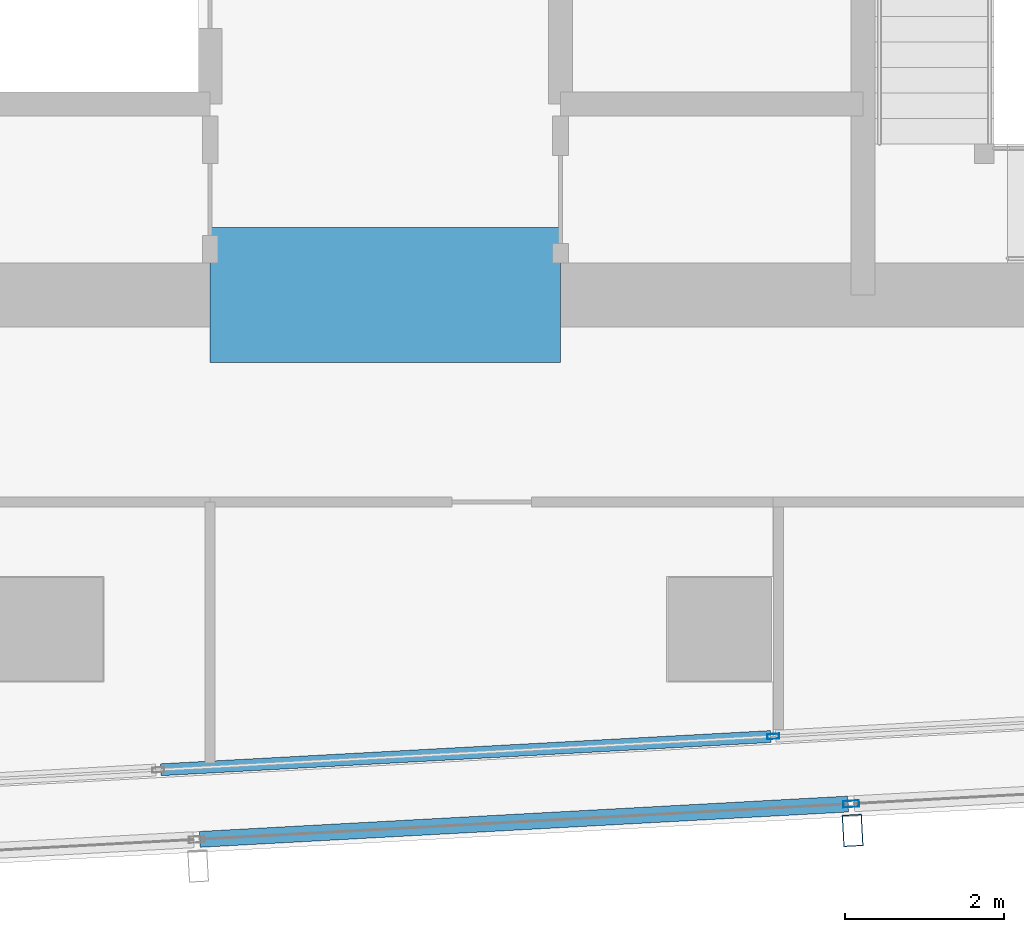
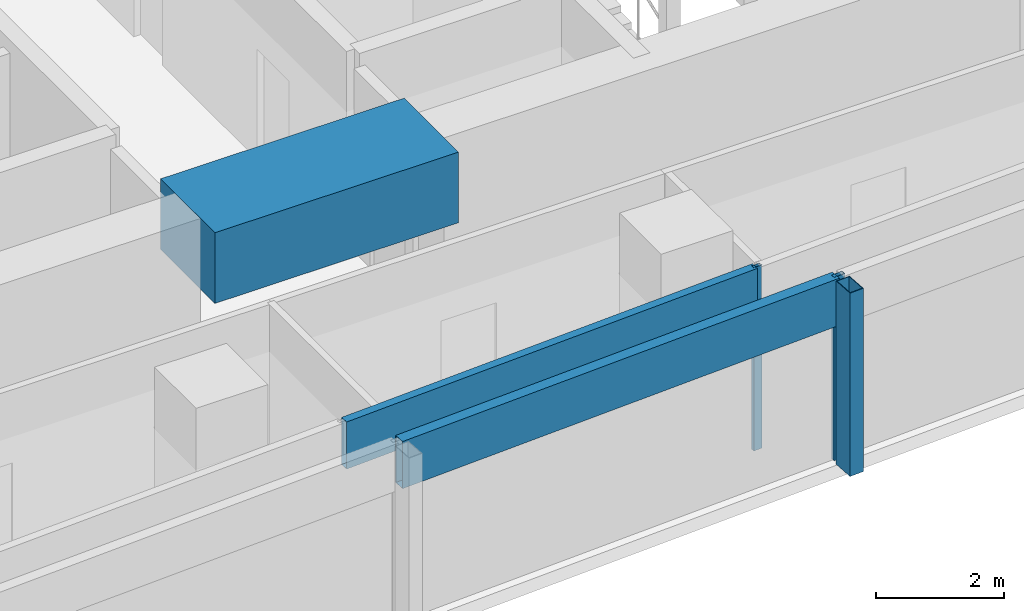
# One storey, part 9 of 29: 5 members, 1 beam, 2 elements without a shape of their own.
"""IFC4 building model written with IfcOpenShell, lengths in metres."""

from ifc_helpers import new_model, si_unit, direction, frame, origin, origin_2d, place, context, subcontext, project, spatial, rectangle, hollow_rectangle, extrude, material, material_profile, profile_set, type_object, element, aggregate, save


model = new_model("IFC4")

# Units and contexts
model_context = context("Model", 3, precision=1e-05, world=origin(), true_north=direction((0.0, 1.0)))
body_context = subcontext(model_context, "Body", "Model", "MODEL_VIEW")
ifc_project = project(units=[si_unit("LENGTHUNIT", "METRE"), si_unit("AREAUNIT", "SQUARE_METRE"), si_unit("VOLUMEUNIT", "CUBIC_METRE"), si_unit("PLANEANGLEUNIT", "RADIAN"), si_unit("MASSUNIT", "GRAM", prefix="KILO")], contexts=[model_context])

# Site, building, storey
site_placement = place(None, origin())
site = spatial("IfcSite", under=ifc_project, at=site_placement, CompositionType="ELEMENT")
building_placement = place(site_placement, origin())
building = spatial("IfcBuilding", under=site, at=building_placement, Name="Rekha Terrace Tower", CompositionType="ELEMENT")
storey_placement = place(building_placement, frame((0.0, 0.0, 276.35009765625)))
storey = spatial("IfcBuildingStorey", under=building, at=storey_placement, Name="L70", CompositionType="ELEMENT", Elevation=276.35009765625)

# Curtain wall, member
ifc_material_1 = material(Name="Aluminium framing", Category="aluminium")
curtain_wall_type_1 = type_object("IfcCurtainWallType", Name="CW2 double skin outer glazing", PredefinedType="USERDEFINED", material=ifc_material_1)
curtain_wall_1_placement = place(storey_placement, origin())
curtain_wall_1 = element("IfcCurtainWall", 1, at=curtain_wall_1_placement, inside=storey, type_object=curtain_wall_type_1, Name="CW2 double skin outer glazing", ObjectType="DOUBLE SKIN OUTER GLAZING", PredefinedType="USERDEFINED")
ifc_material_2 = material(Name="Steel S355 with fluorocarbon finish", Category="steel")
ifc_material_profile_1 = material_profile(ifc_material_2, hollow_rectangle(XDim=0.25, YDim=0.39990234375, WallThickness=0.012451171875, at=origin_2d()), Name="RHS400x250x12.5")
ifc_profile_set_1 = profile_set([ifc_material_profile_1], Name="Steel S355 with fluorocarbon finish")
member_type_1 = type_object("IfcMemberType", Name="BL1 facade blade RHS 400 x 250", PredefinedType="USERDEFINED", material=ifc_profile_set_1)
member_1_placement = place(storey_placement, frame((43.67138671875, 14.271728515625, 0.0), z_axis=(0.0, 0.0, 1.0), x_axis=(0.99851982155, 0.054389024366, 0.0)))
member_1 = element("IfcMember", 2, at=member_1_placement, type_object=member_type_1, Name="Facade blade", ObjectType="FACADE BLADE", PredefinedType="USERDEFINED", context=body_context, shape_type="SweptSolid", body=[
    extrude(hollow_rectangle(XDim=0.25, YDim=0.39990234375, WallThickness=0.012451171875, at=origin_2d()), origin(), (0.0, 0.0, 1.0), 3.5),
])

# Curtain wall, members
curtain_wall_type_2 = type_object("IfcCurtainWallType", Name="CW1 double skin inner glazing", PredefinedType="USERDEFINED", material=ifc_material_1)
curtain_wall_2_placement = place(storey_placement, origin())
curtain_wall_2 = element("IfcCurtainWall", 3, at=curtain_wall_2_placement, inside=storey, type_object=curtain_wall_type_2, Name="CW1 double skin inner glazing", ObjectType="DOUBLE SKIN INNER GLAZING", PredefinedType="USERDEFINED")
ifc_material_3 = material(Name="Aluminium mullion section", Category="aluminium")
ifc_material_profile_2 = material_profile(ifc_material_3, hollow_rectangle(XDim=0.06494140625, YDim=0.14990234375, WallThickness=0.00390625, at=origin_2d()), Name="AL RHS 65x150")
ifc_profile_set_2 = profile_set([ifc_material_profile_2], Name="Aluminium mullion section")
member_type_2 = type_object("IfcMemberType", Name="CW1 mullion RHS 65 x 150", PredefinedType="MULLION", material=ifc_profile_set_2)
member_2_placement = place(storey_placement, frame((42.673583984375, 15.4541015625, 0.0), z_axis=(0.0, 0.0, 1.0), x_axis=(-0.054388903036, 0.998519828159, 0.0)))
member_2 = element("IfcMember", 4, at=member_2_placement, type_object=member_type_2, Name="CW1 mullion 3", PredefinedType="MULLION", context=body_context, shape_type="SweptSolid", body=[
    extrude(hollow_rectangle(XDim=0.06494140625, YDim=0.14990234375, WallThickness=0.00390625, at=origin_2d()), origin(), (0.0, 0.0, 1.0), 3.5),
])
ifc_material_4 = material(Name="Insulated aluminium spandrel box", Category="aluminium")
ifc_material_profile_3 = material_profile(ifc_material_4, hollow_rectangle(XDim=0.14990234375, YDim=0.89990234375, WallThickness=0.0029296875, at=origin_2d()), Name="AL SPANDREL BOX 150x900")
ifc_profile_set_3 = profile_set([ifc_material_profile_3], Name="Insulated aluminium spandrel box")
member_type_3 = type_object("IfcMemberType", Name="CW1 spandrel transom 150 x 900", PredefinedType="USERDEFINED", material=ifc_profile_set_3)
member_3_placement = place(storey_placement, frame((34.980224609375, 15.03515625, 3.0498046875), z_axis=(0.998520172557, 0.054382579907, 0.0), x_axis=(-0.054382579907, 0.998520172557, 0.0)))
member_3 = element("IfcMember", 5, at=member_3_placement, type_object=member_type_3, Name="CW1 spandrel transom 2", ObjectType="TRANSOM", PredefinedType="USERDEFINED", context=body_context, shape_type="SweptSolid", body=[
    extrude(hollow_rectangle(XDim=0.14990234375, YDim=0.89990234375, WallThickness=0.0029296875, at=origin_2d()), origin(), (0.0, 0.0, 1.0), 7.67236328125),
])
aggregate(curtain_wall_2, [member_2, member_3])

# Member
ifc_material_profile_4 = material_profile(ifc_material_3, hollow_rectangle(XDim=0.080078125, YDim=0.199951171875, WallThickness=0.00390625, at=origin_2d()), Name="AL RHS 80x200")
ifc_profile_set_4 = profile_set([ifc_material_profile_4], Name="Aluminium mullion section")
member_type_4 = type_object("IfcMemberType", Name="CW2 mullion RHS 80 x 200", PredefinedType="MULLION", material=ifc_profile_set_4)
member_4_placement = place(storey_placement, frame((43.6533203125, 14.606201171875, 0.0), z_axis=(0.0, 0.0, 1.0), x_axis=(-0.054388903071, 0.998519828157, 0.0)))
member_4 = element("IfcMember", 6, at=member_4_placement, type_object=member_type_4, Name="CW2 mullion 3", PredefinedType="MULLION", context=body_context, shape_type="SweptSolid", body=[
    extrude(hollow_rectangle(XDim=0.080078125, YDim=0.199951171875, WallThickness=0.00390625, at=origin_2d()), origin(), (0.0, 0.0, 1.0), 3.5),
])

ifc_material_profile_5 = material_profile(ifc_material_4, hollow_rectangle(XDim=0.199951171875, YDim=0.89990234375, WallThickness=0.0029296875, at=origin_2d()), Name="AL SPANDREL BOX 200x900")
ifc_profile_set_5 = profile_set([ifc_material_profile_5], Name="Insulated aluminium spandrel box")
member_type_5 = type_object("IfcMemberType", Name="CW2 spandrel transom 200 x 900", PredefinedType="USERDEFINED", material=ifc_profile_set_5)
member_5_placement = place(storey_placement, frame((35.469970703125, 14.160400390625, 3.0498046875), z_axis=(0.998519553524, 0.054393944798, 0.0), x_axis=(-0.054393944798, 0.998519553524, 0.0)))
member_5 = element("IfcMember", 7, at=member_5_placement, type_object=member_type_5, Name="CW2 spandrel transom 2", ObjectType="TRANSOM", PredefinedType="USERDEFINED", context=body_context, shape_type="SweptSolid", body=[
    extrude(hollow_rectangle(XDim=0.199951171875, YDim=0.89990234375, WallThickness=0.0029296875, at=origin_2d()), origin(), (0.0, 0.0, 1.0), 8.1552734375),
])

aggregate(curtain_wall_1, [member_4, member_5, member_1])

# Beam
ifc_material_5 = material(Name="Concrete M60", Category="concrete")
ifc_material_profile_6 = material_profile(ifc_material_5, rectangle(XDim=1.699951171875, YDim=1.35009765625, at=origin_2d()), Name="RC 1700x1350")
ifc_profile_set_6 = profile_set([ifc_material_profile_6], Name="Concrete M60")
beam_type = type_object("IfcBeamType", Name="LB5A 1700x1350 diagonally reinforced coupling beam", PredefinedType="LINTEL", material=ifc_profile_set_6)
beam_placement = place(storey_placement, frame((35.60009765625, 21.0, 3.074951171875), z_axis=(1.0, 0.0, 0.0), x_axis=(0.0, 1.0, 0.0)))
element("IfcBeam", 8, at=beam_placement, inside=storey, type_object=beam_type, Name="Coupling beam LB5A S L70", PredefinedType="LINTEL", context=body_context, shape_type="SweptSolid", body=[
    extrude(rectangle(XDim=1.699951171875, YDim=1.35009765625, at=origin_2d()), origin(), (0.0, 0.0, 1.0), 4.39990234375),
])

save(model, "model.ifc")
